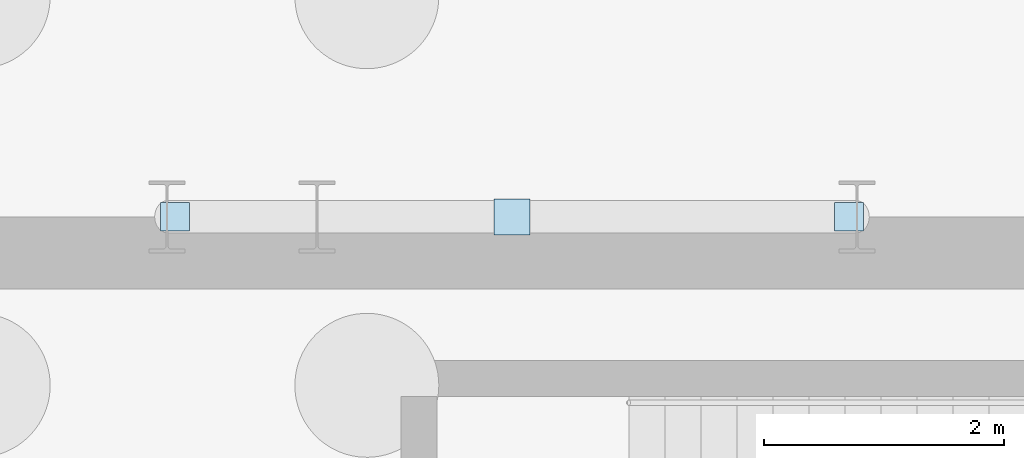
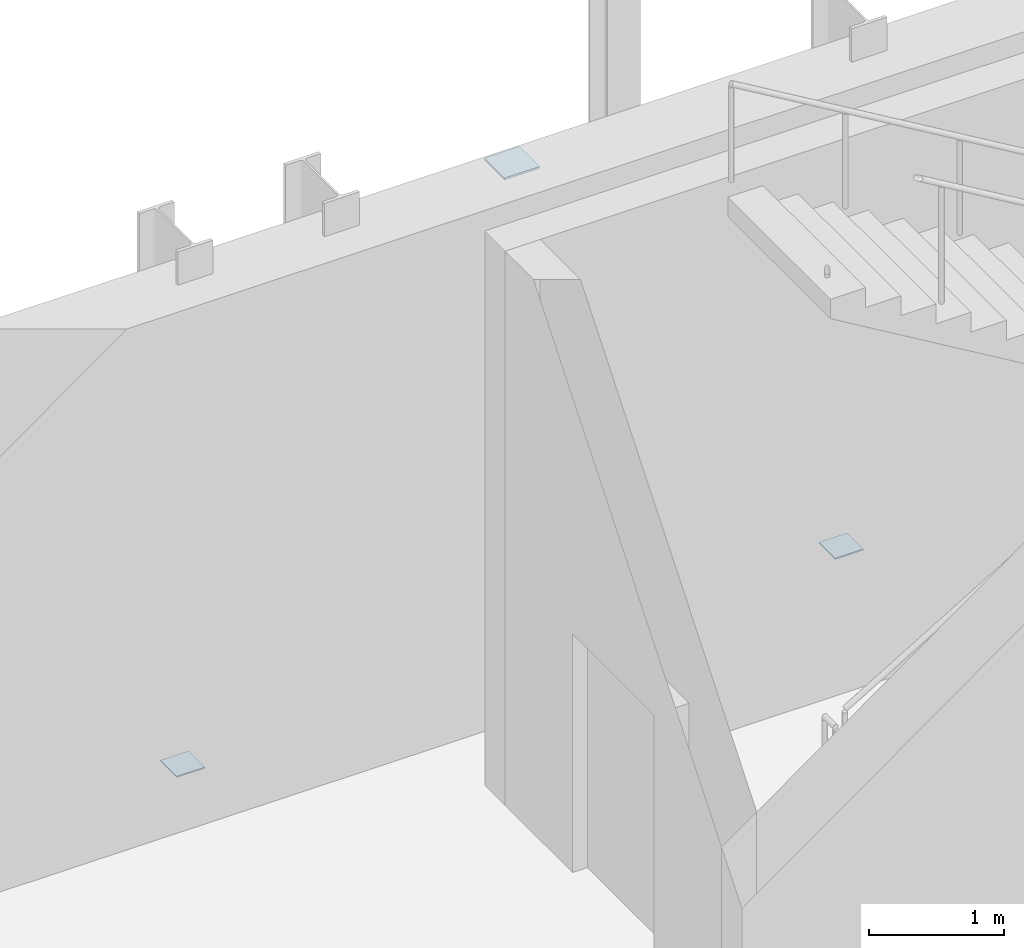
# One storey, part 20 of 47: 3 plates.
"""IFC4 building model written with IfcOpenShell, lengths in metres."""

import ifcopenshell
import ifcopenshell.guid

model = None  # the IFC model being written
_history = None  # IfcOwnerHistory: only IFC2X3 demands one
_inside = {}  # id of a spatial element -> (the spatial element, [elements in it])
_under = {}  # id of a project, library or spatial element -> (it, [spatial elements below it])
_declared = {}  # id of a project -> (the project, [libraries it declares])
_typed = {}  # id of a type object -> (the type object, [elements of that type])
_made_of = {}  # id of a material, layer set ... -> (it, [elements and type objects made of it])


def new_model(schema):
    """Start an empty IFC model of exactly this schema.

    Asked for "IFC4X3", IfcOpenShell would pick the latest addendum, in which some entities
    have other attributes; the version numbers below select the first issue.
    IFC2X3 requires an IfcOwnerHistory on every rooted entity: one is made here for all.
    """
    global model, _history
    if schema == "IFC4X3":
        model = ifcopenshell.file(schema_version=(4, 3, 0, 0))
    else:
        model = ifcopenshell.file(schema=schema)
    _inside.clear()
    _under.clear()
    _declared.clear()
    _typed.clear()
    _made_of.clear()
    _history = None
    if model.schema == "IFC2X3":
        org = make("IfcOrganization", Name="unknown")
        user = make(
            "IfcPersonAndOrganization",
            ThePerson=make("IfcPerson", FamilyName="unknown"),
            TheOrganization=org,
        )
        app = make(
            "IfcApplication",
            ApplicationDeveloper=org,
            Version="unknown",
            ApplicationFullName="unknown",
            ApplicationIdentifier="unknown",
        )
        _history = make(
            "IfcOwnerHistory",
            OwningUser=user,
            OwningApplication=app,
            ChangeAction="ADDED",
            CreationDate=0,
        )
    return model


def make(cls, **values):
    """One entity of the class cls with the attributes given. An attribute that is None is left unset."""
    return model.create_entity(
        cls, **{name: value for name, value in values.items() if value is not None}
    )


def rooted(cls, **values):
    """An entity with a GlobalId (a new one), such as an element, a storey or a relation."""
    return make(cls, GlobalId=ifcopenshell.guid.new(), OwnerHistory=_history, **values)


def si_unit(unit_type, name, prefix=None):
    """IfcSIUnit, for example si_unit("LENGTHUNIT", "METRE", prefix="MILLI")."""
    return make("IfcSIUnit", UnitType=unit_type, Prefix=prefix, Name=name)


def assignment(units):
    """IfcUnitAssignment: the units of a project."""
    return None if units is None else make("IfcUnitAssignment", Units=units)


def point(xyz):
    """IfcCartesianPoint."""
    return None if xyz is None else make("IfcCartesianPoint", Coordinates=xyz)


def direction(xyz):
    """IfcDirection."""
    return None if xyz is None else make("IfcDirection", DirectionRatios=xyz)


def frame(location, z_axis=None, x_axis=None):
    """IfcAxis2Placement3D, a coordinate frame: its origin and axes. An axis left out is left unset."""
    return make(
        "IfcAxis2Placement3D",
        Location=point(location),
        Axis=direction(z_axis),
        RefDirection=direction(x_axis),
    )


def frame_2d(location, x_axis=None):
    """IfcAxis2Placement2D, a coordinate frame in the plane: its origin and x axis."""
    return make(
        "IfcAxis2Placement2D", Location=point(location), RefDirection=direction(x_axis)
    )


def origin():
    """The frame at (0, 0, 0) with its axes left unset."""
    return frame((0.0, 0.0, 0.0))


def origin_2d():
    """The frame at (0, 0) in the plane with its x axis left unset."""
    return frame_2d((0.0, 0.0))


def place(relative_to, where):
    """IfcLocalPlacement: puts the frame where relative to a parent placement (None: the world)."""
    return make(
        "IfcLocalPlacement", PlacementRelTo=relative_to, RelativePlacement=where
    )


def context(
    kind, dimensions, precision=None, world=None, true_north=None, identifier=None
):
    """IfcGeometricRepresentationContext, for example the 3D "Model" context."""
    return make(
        "IfcGeometricRepresentationContext",
        ContextIdentifier=identifier,
        ContextType=kind,
        CoordinateSpaceDimension=dimensions,
        Precision=precision,
        WorldCoordinateSystem=world,
        TrueNorth=true_north,
    )


def subcontext(parent, identifier, kind, view, scale=None):
    """IfcGeometricRepresentationSubContext, for example "Body" below "Model"."""
    return make(
        "IfcGeometricRepresentationSubContext",
        ContextIdentifier=identifier,
        ContextType=kind,
        ParentContext=parent,
        TargetScale=scale,
        TargetView=view,
    )


def project(units=None, contexts=None):
    """IfcProject with its units and contexts."""
    return rooted(
        "IfcProject",
        Name="project",
        RepresentationContexts=contexts,
        UnitsInContext=assignment(units),
    )


def spatial(cls, under=None, at=None, **own):
    """A site, building, storey or space (cls), placed at a placement, below another one or the project."""
    s = rooted(cls, ObjectPlacement=at, **own)
    if under is not None:
        _under.setdefault(under.id(), (under, []))[1].append(s)
    return s


def profile(cls, at=None, kind="AREA", **sizes):
    """A parametric profile (cls). Its sizes go by their IFC names, for example OverallWidth=200.0."""
    return make(cls, ProfileType=kind, Position=at, **sizes)


def rectangle(**sizes):
    """IfcRectangleProfileDef."""
    return profile("IfcRectangleProfileDef", **sizes)


def extrude(swept, where, along, depth):
    """IfcExtrudedAreaSolid: the profile swept, set in the frame where, extruded along a direction by depth."""
    return make(
        "IfcExtrudedAreaSolid",
        SweptArea=swept,
        Position=where,
        ExtrudedDirection=direction(along),
        Depth=depth,
    )


def shape(context_of_items, identifier, shape_type, items):
    """IfcShapeRepresentation: the items that make up one representation, for example the "Body"."""
    return make(
        "IfcShapeRepresentation",
        ContextOfItems=context_of_items,
        RepresentationIdentifier=identifier,
        RepresentationType=shape_type,
        Items=items,
    )


def material(Name=None, Category=None):
    """IfcMaterial."""
    return make("IfcMaterial", Name=Name, Category=Category)


def layer(
    of_material, thickness, ventilated=None, Name=None, Category=None, Priority=None
):
    """IfcMaterialLayer: one layer of a wall or slab, of a material (None: an air gap)."""
    return make(
        "IfcMaterialLayer",
        Material=of_material,
        LayerThickness=thickness,
        IsVentilated=ventilated,
        Name=Name,
        Category=Category,
        Priority=Priority,
    )


def layer_set(layers, Name=None):
    """IfcMaterialLayerSet."""
    return make("IfcMaterialLayerSet", MaterialLayers=layers, LayerSetName=Name)


def made_of(thing, what):
    """Note that an element or type object is made of a material, layer set ...; save() writes the relation."""
    if what is not None:
        _made_of.setdefault(what.id(), (what, []))[1].append(thing)
    return thing


def type_object(cls, material=None, **own):
    """A type object (cls), such as IfcWallType, which elements share."""
    return made_of(rooted(cls, **own), material)


def element(
    cls,
    number,
    at=None,
    inside=None,
    cuts=None,
    type_object=None,
    material=None,
    context=None,
    identifier="Body",
    shape_type=None,
    held_by="IfcProductDefinitionShape",
    body=None,
    shapes=None,
    **own,
):
    """One element of the class cls, such as IfcWall. Its Tag is "e" and its number.

    at: its placement. inside: the storey or other place that contains it. cuts: it is an
    opening in that element (IfcRelVoidsElement). A single representation is given by context,
    identifier, shape_type and body (its items); several are given by shapes. held_by: the class
    of the entity that holds the representations. save() writes the other relations.
    """
    e = rooted(cls, Tag="e%d" % number, ObjectPlacement=at, **own)
    if body is not None:
        shapes = [shape(context, identifier, shape_type, body)]
    if shapes is not None:
        e.Representation = make(held_by, Representations=shapes)
    if inside is not None:
        _inside.setdefault(inside.id(), (inside, []))[1].append(e)
    if cuts is not None:
        rooted(
            "IfcRelVoidsElement", RelatingBuildingElement=cuts, RelatedOpeningElement=e
        )
    if type_object is not None:
        _typed.setdefault(type_object.id(), (type_object, []))[1].append(e)
    return made_of(e, material)


def aggregate(whole, parts):
    """IfcRelAggregates: a whole, such as a stair, and the parts it consists of."""
    return rooted("IfcRelAggregates", RelatingObject=whole, RelatedObjects=parts)


def save(model, path):
    """Write the relations noted so far, then the file.

    IfcRelAggregates (storeys below a building ...), IfcRelContainedInSpatialStructure (elements
    in a storey), IfcRelDefinesByType, IfcRelAssociatesMaterial and IfcRelDeclares: one each for
    every whole, place, type object, material and project.
    """
    for whole, parts in _under.values():
        aggregate(whole, parts)
    for where, things in _inside.values():
        rooted(
            "IfcRelContainedInSpatialStructure",
            RelatedElements=things,
            RelatingStructure=where,
        )
    for kind, things in _typed.values():
        rooted("IfcRelDefinesByType", RelatedObjects=things, RelatingType=kind)
    for what, things in _made_of.values():
        rooted("IfcRelAssociatesMaterial", RelatedObjects=things, RelatingMaterial=what)
    for by, libraries in _declared.values():
        rooted("IfcRelDeclares", RelatingContext=by, RelatedDefinitions=libraries)
    model.write(path)


model = new_model("IFC4")

# Units and contexts
model_context = context("Model", 3, precision=1e-05, world=origin(), true_north=direction((0.0, 1.0)))
body_context = subcontext(model_context, "Body", "Model", "MODEL_VIEW")
ifc_project = project(units=[si_unit("LENGTHUNIT", "METRE"), si_unit("AREAUNIT", "SQUARE_METRE"), si_unit("VOLUMEUNIT", "CUBIC_METRE"), si_unit("PLANEANGLEUNIT", "RADIAN"), si_unit("MASSUNIT", "GRAM", prefix="KILO")], contexts=[model_context])

# Site, building, storey
site_placement = place(None, origin())
site = spatial("IfcSite", under=ifc_project, at=site_placement, CompositionType="ELEMENT")
building_placement = place(site_placement, origin())
building = spatial("IfcBuilding", under=site, at=building_placement, Name="Cymarion Research Institute", CompositionType="ELEMENT")
storey_placement = place(building_placement, frame((0.0, 0.0, -5.0)))
storey = spatial("IfcBuildingStorey", under=building, at=storey_placement, Name="B1", CompositionType="ELEMENT", Elevation=-5.0)

# Plates
ifc_material = material(Name="Steel S355", Category="steel")
ifc_layer_1 = layer(ifc_material, 0.01806640625)
ifc_layer_set_1 = layer_set([ifc_layer_1], Name="Steel S355")
plate_type_1 = type_object("IfcPlateType", Name="STEEL NODE GUSSET PLATE CP01 18MM", PredefinedType="USERDEFINED", material=ifc_layer_set_1)
plate_placement = place(storey_placement, frame((88.22509765625, 41.5, 4.551025390625), z_axis=(0.0, 0.0, 1.0), x_axis=(1.0, 0.0, 0.0)))
element("IfcPlate", 1, at=plate_placement, inside=storey, type_object=plate_type_1, Name="B1 V2 chevron apex gusset plate", ObjectType="GUSSET PLATE", PredefinedType="USERDEFINED", context=body_context, shape_type="SweptSolid", body=[
    extrude(rectangle(XDim=0.300048828125, YDim=0.300048828125, at=origin_2d()), origin(), (0.0, 0.0, 1.0), 0.01806640625),
])
ifc_layer_2 = layer(ifc_material, 0.011962890625)
ifc_layer_set_2 = layer_set([ifc_layer_2], Name="Steel S355")
plate_type_2 = type_object("IfcPlateType", Name="STEEL NODE GUSSET PLATE CP02 12MM", PredefinedType="USERDEFINED", material=ifc_layer_set_2)
for number, where, z_axis, x_axis, name in (
    (2, (85.415283203125, 41.5, 0.1142578125), (0.0, 0.0, 1.0), (1.0, 0.0, 0.0), "B1 V2 chevron base gusset plate #1"),
    (3, (91.034912109375, 41.5, 0.1142578125), (0.0, 0.0, 1.0), (1.0, 0.0, 0.0), "B1 V2 chevron base gusset plate #2"),
):
    element("IfcPlate", number, at=place(storey_placement, frame(where, z_axis=z_axis, x_axis=x_axis)), inside=storey, type_object=plate_type_2, Name=name, ObjectType="GUSSET PLATE", PredefinedType="USERDEFINED", context=body_context, shape_type="SweptSolid", body=[
        extrude(rectangle(XDim=0.239990234375, YDim=0.239990234375, at=origin_2d()), origin(), (0.0, 0.0, 1.0), 0.011962890625),
    ])

save(model, "model.ifc")
